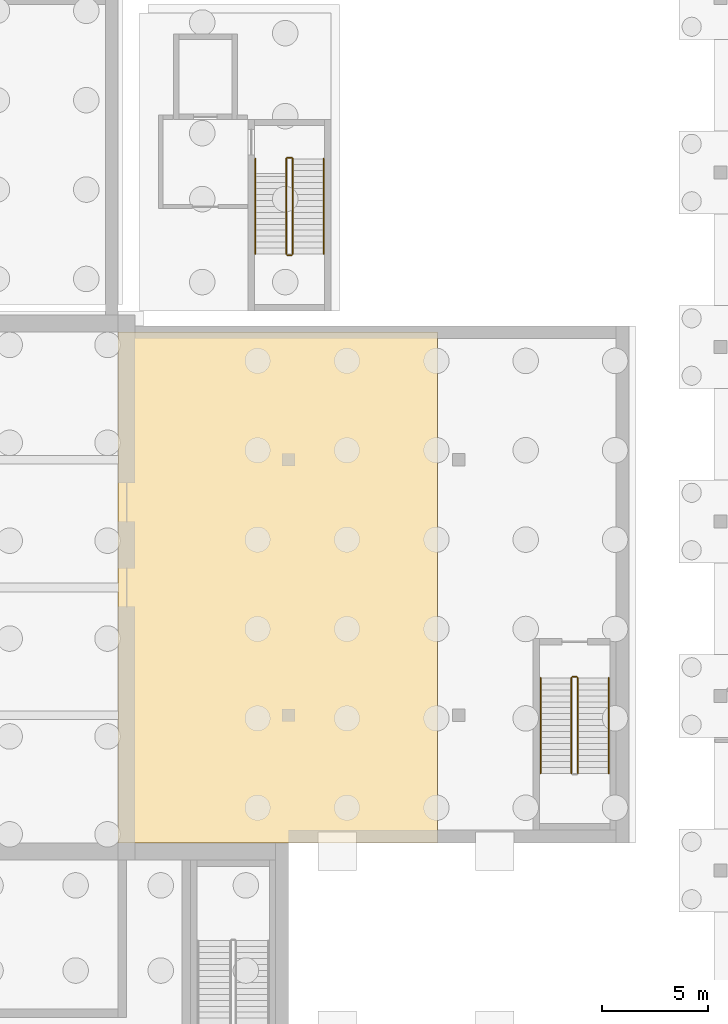
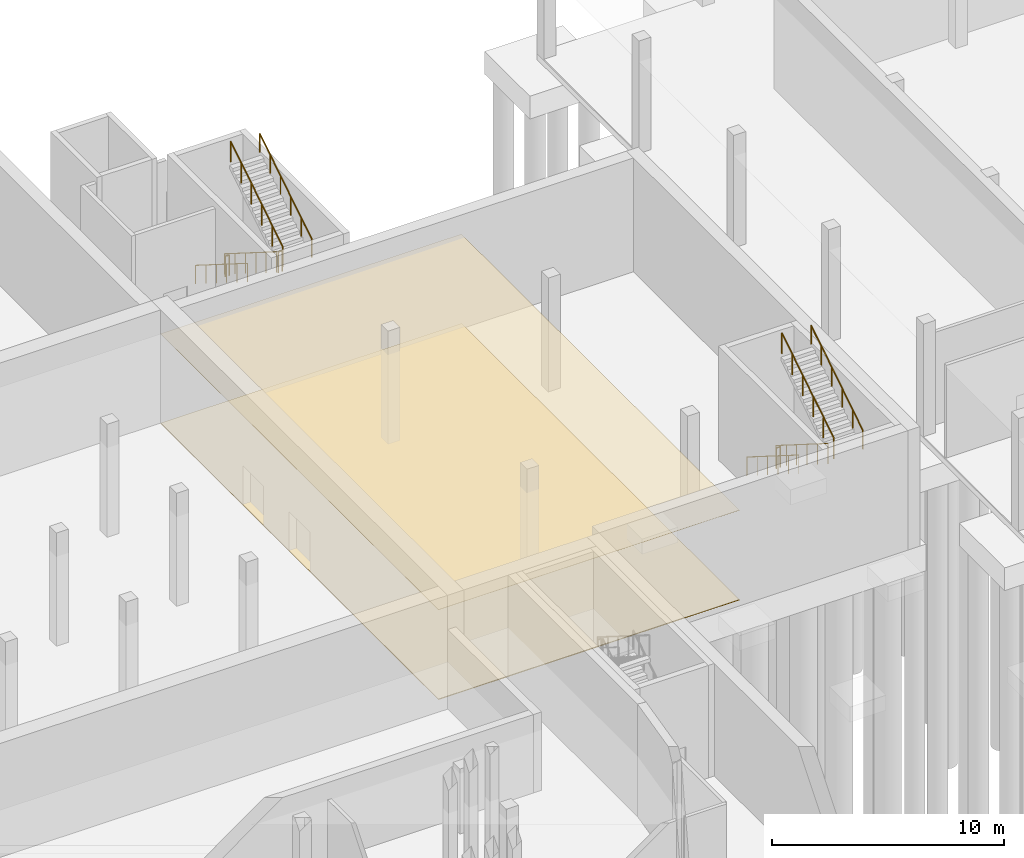
# One storey, part 55 of 66: 11 railings, 2 coverings.
"""IFC4 building model written with IfcOpenShell, lengths in metres."""

from ifc_helpers import new_model, si_unit, direction, frame, origin, origin_2d, place, context, subcontext, project, spatial, polyline, circle, outline, extrude, material, layer, layer_set, type_object, element, save


model = new_model("IFC4")

# Units and contexts
model_context = context("Model", 3, precision=1e-05, world=origin(), true_north=direction((0.0, 1.0)))
body_context = subcontext(model_context, "Body", "Model", "MODEL_VIEW")
ifc_project = project(units=[si_unit("LENGTHUNIT", "METRE"), si_unit("AREAUNIT", "SQUARE_METRE"), si_unit("VOLUMEUNIT", "CUBIC_METRE"), si_unit("PLANEANGLEUNIT", "RADIAN"), si_unit("MASSUNIT", "GRAM", prefix="KILO")], contexts=[model_context])

# Site, building, storey
site_placement = place(None, origin())
site = spatial("IfcSite", under=ifc_project, at=site_placement, CompositionType="ELEMENT")
building_placement = place(site_placement, origin())
building = spatial("IfcBuilding", under=site, at=building_placement, Name="Lunette Opera House", CompositionType="ELEMENT")
storey_placement = place(building_placement, frame((0.0, 0.0, -6.0)))
storey = spatial("IfcBuildingStorey", under=building, at=storey_placement, Name="B1", CompositionType="ELEMENT", Elevation=-6.0)

# Railings
ifc_material_1 = material(Name="Steel S355", Category="steel")
railing_type_1 = type_object("IfcRailingType", Name="STAIR GUARD 1100", PredefinedType="GUARDRAIL", material=ifc_material_1)
railing_1_placement = place(storey_placement, frame((115.89990234375, 128.14990234375, 0.176513671875)))
element("IfcRailing", 1, at=railing_1_placement, inside=storey, type_object=railing_type_1, Name="B1 ST12 stair guard 1", PredefinedType="GUARDRAIL", context=body_context, shape_type="SweptSolid", body=[
    extrude(circle(Radius=0.02392578125, at=origin_2d()), frame((0.0, 0.0, 1.076171875), z_axis=(0.0, -0.845997938375, 0.533186166611), x_axis=(1.0, 0.0, 0.0)), (0.0, 0.0, 1.0), 5.29541015625),
    extrude(circle(Radius=0.02099609375, at=origin_2d()), origin(), (0.0, 0.0, 1.0), 1.052001953125),
    extrude(circle(Radius=0.02099609375, at=origin_2d()), frame((0.0, -0.89599609375, 0.564697265625)), (0.0, 0.0, 1.0), 1.052001953125),
    extrude(circle(Radius=0.02099609375, at=origin_2d()), frame((0.0, -1.7919921875, 1.12939453125)), (0.0, 0.0, 1.0), 1.052001953125),
    extrude(circle(Radius=0.02099609375, at=origin_2d()), frame((0.0, -2.68798828125, 1.694091796875)), (0.0, 0.0, 1.0), 1.052001953125),
    extrude(circle(Radius=0.02099609375, at=origin_2d()), frame((0.0, -3.583984375, 2.2587890625)), (0.0, 0.0, 1.0), 1.052001953125),
    extrude(circle(Radius=0.02099609375, at=origin_2d()), frame((0.0, -4.47998046875, 2.823486328125)), (0.0, 0.0, 1.0), 1.052001953125),
])
railing_2_placement = place(storey_placement, frame((115.949951171875, 123.6201171875, 3.0)))
element("IfcRailing", 2, at=railing_2_placement, inside=storey, type_object=railing_type_1, Name="B1 ST12 stair guard 2", PredefinedType="GUARDRAIL", context=body_context, shape_type="SweptSolid", body=[
    extrude(circle(Radius=0.02392578125, at=origin_2d()), frame((0.0, 0.0, 1.076171875), z_axis=(1.0, 0.0, 0.0), x_axis=(0.0, 1.0, 0.0)), (0.0, 0.0, 1.0), 0.199951171875),
    extrude(circle(Radius=0.02099609375, at=origin_2d()), origin(), (0.0, 0.0, 1.0), 1.052001953125),
    extrude(circle(Radius=0.02099609375, at=origin_2d()), frame((0.199951171875, 0.0, 0.0)), (0.0, 0.0, 1.0), 1.052001953125),
])
railing_3_placement = place(storey_placement, frame((116.199951171875, 123.669921875, 3.176513671875)))
element("IfcRailing", 3, at=railing_3_placement, inside=storey, type_object=railing_type_1, Name="B1 ST12 stair guard 3", PredefinedType="GUARDRAIL", context=body_context, shape_type="SweptSolid", body=[
    extrude(circle(Radius=0.02392578125, at=origin_2d()), frame((0.0, 0.0, 1.076171875), z_axis=(0.0, 0.845997938375, 0.533186166611), x_axis=(-1.0, 0.0, 0.0)), (0.0, 0.0, 1.0), 5.29541015625),
    extrude(circle(Radius=0.02099609375, at=origin_2d()), origin(), (0.0, 0.0, 1.0), 1.052001953125),
    extrude(circle(Radius=0.02099609375, at=origin_2d()), frame((0.0, 0.89599609375, 0.564697265625)), (0.0, 0.0, 1.0), 1.052001953125),
    extrude(circle(Radius=0.02099609375, at=origin_2d()), frame((0.0, 1.7919921875, 1.12939453125)), (0.0, 0.0, 1.0), 1.052001953125),
    extrude(circle(Radius=0.02099609375, at=origin_2d()), frame((0.0, 2.68798828125, 1.694091796875)), (0.0, 0.0, 1.0), 1.052001953125),
    extrude(circle(Radius=0.02099609375, at=origin_2d()), frame((0.0, 3.583984375, 2.2587890625)), (0.0, 0.0, 1.0), 1.052001953125),
    extrude(circle(Radius=0.02099609375, at=origin_2d()), frame((0.0, 4.47998046875, 2.823486328125)), (0.0, 0.0, 1.0), 1.052001953125),
])
railing_4_placement = place(storey_placement, frame((115.949951171875, 128.199951171875, 0.0)))
element("IfcRailing", 4, at=railing_4_placement, inside=storey, type_object=railing_type_1, Name="B1 ST12 stair guard 4", PredefinedType="GUARDRAIL", context=body_context, shape_type="SweptSolid", body=[
    extrude(circle(Radius=0.02392578125, at=origin_2d()), frame((0.0, 0.0, 1.076171875), z_axis=(1.0, 0.0, 0.0), x_axis=(0.0, 1.0, 0.0)), (0.0, 0.0, 1.0), 0.199951171875),
    extrude(circle(Radius=0.02099609375, at=origin_2d()), origin(), (0.0, 0.0, 1.0), 1.052001953125),
    extrude(circle(Radius=0.02099609375, at=origin_2d()), frame((0.199951171875, 0.0, 0.0)), (0.0, 0.0, 1.0), 1.052001953125),
])
railing_5_placement = place(storey_placement, frame((129.300048828125, 103.75, 0.176513671875)))
element("IfcRailing", 5, at=railing_5_placement, inside=storey, type_object=railing_type_1, Name="B1 ST14 stair guard 1", PredefinedType="GUARDRAIL", context=body_context, shape_type="SweptSolid", body=[
    extrude(circle(Radius=0.02392578125, at=origin_2d()), frame((0.0, 0.0, 1.076171875), z_axis=(0.0, -0.845997938375, 0.533186166611), x_axis=(1.0, 0.0, 0.0)), (0.0, 0.0, 1.0), 5.29541015625),
    extrude(circle(Radius=0.02099609375, at=origin_2d()), origin(), (0.0, 0.0, 1.0), 1.052001953125),
    extrude(circle(Radius=0.02099609375, at=origin_2d()), frame((0.0, -0.89599609375, 0.564697265625)), (0.0, 0.0, 1.0), 1.052001953125),
    extrude(circle(Radius=0.02099609375, at=origin_2d()), frame((0.0, -1.7919921875, 1.12939453125)), (0.0, 0.0, 1.0), 1.052001953125),
    extrude(circle(Radius=0.02099609375, at=origin_2d()), frame((0.0, -2.68798828125, 1.694091796875)), (0.0, 0.0, 1.0), 1.052001953125),
    extrude(circle(Radius=0.02099609375, at=origin_2d()), frame((0.0, -3.583984375, 2.2587890625)), (0.0, 0.0, 1.0), 1.052001953125),
    extrude(circle(Radius=0.02099609375, at=origin_2d()), frame((0.0, -4.47998046875, 2.823486328125)), (0.0, 0.0, 1.0), 1.052001953125),
])
railing_6_placement = place(storey_placement, frame((129.60009765625, 99.27001953125, 3.176513671875)))
element("IfcRailing", 6, at=railing_6_placement, inside=storey, type_object=railing_type_1, Name="B1 ST14 stair guard 3", PredefinedType="GUARDRAIL", context=body_context, shape_type="SweptSolid", body=[
    extrude(circle(Radius=0.02392578125, at=origin_2d()), frame((0.0, 0.0, 1.076171875), z_axis=(0.0, 0.845997938375, 0.533186166611), x_axis=(-1.0, 0.0, 0.0)), (0.0, 0.0, 1.0), 5.29541015625),
    extrude(circle(Radius=0.02099609375, at=origin_2d()), origin(), (0.0, 0.0, 1.0), 1.052001953125),
    extrude(circle(Radius=0.02099609375, at=origin_2d()), frame((0.0, 0.89599609375, 0.564697265625)), (0.0, 0.0, 1.0), 1.052001953125),
    extrude(circle(Radius=0.02099609375, at=origin_2d()), frame((0.0, 1.7919921875, 1.12939453125)), (0.0, 0.0, 1.0), 1.052001953125),
    extrude(circle(Radius=0.02099609375, at=origin_2d()), frame((0.0, 2.68798828125, 1.694091796875)), (0.0, 0.0, 1.0), 1.052001953125),
    extrude(circle(Radius=0.02099609375, at=origin_2d()), frame((0.0, 3.583984375, 2.2587890625)), (0.0, 0.0, 1.0), 1.052001953125),
    extrude(circle(Radius=0.02099609375, at=origin_2d()), frame((0.0, 4.47998046875, 2.823486328125)), (0.0, 0.0, 1.0), 1.052001953125),
])
railing_7_placement = place(storey_placement, frame((129.35009765625, 103.800048828125, 0.0)))
element("IfcRailing", 7, at=railing_7_placement, inside=storey, type_object=railing_type_1, Name="B1 ST14 stair guard 4", PredefinedType="GUARDRAIL", context=body_context, shape_type="SweptSolid", body=[
    extrude(circle(Radius=0.02392578125, at=origin_2d()), frame((0.0, 0.0, 1.076171875), z_axis=(1.0, 0.0, 0.0), x_axis=(0.0, 1.0, 0.0)), (0.0, 0.0, 1.0), 0.199951171875),
    extrude(circle(Radius=0.02099609375, at=origin_2d()), origin(), (0.0, 0.0, 1.0), 1.052001953125),
    extrude(circle(Radius=0.02099609375, at=origin_2d()), frame((0.199951171875, 0.0, 0.0)), (0.0, 0.0, 1.0), 1.052001953125),
])
ifc_material_2 = material(Name="Steel S355", Category="steel")
railing_type_2 = type_object("IfcRailingType", Name="STAIR HANDRAIL 1000", PredefinedType="HANDRAIL", material=ifc_material_2)
railing_8_placement = place(storey_placement, frame((114.449951171875, 128.14990234375, 0.176513671875)))
element("IfcRailing", 8, at=railing_8_placement, inside=storey, type_object=railing_type_2, Name="B1 ST12 stair handrail 1", PredefinedType="HANDRAIL", context=body_context, shape_type="SweptSolid", body=[
    extrude(circle(Radius=0.02392578125, at=origin_2d()), frame((0.0, 0.0, 0.97607421875), z_axis=(0.0, -0.845997938375, 0.533186166611), x_axis=(1.0, 0.0, 0.0)), (0.0, 0.0, 1.0), 5.29541015625),
    extrude(circle(Radius=0.02099609375, at=origin_2d()), origin(), (0.0, 0.0, 1.0), 0.951904296875),
    extrude(circle(Radius=0.02099609375, at=origin_2d()), frame((0.0, -0.89599609375, 0.564697265625)), (0.0, 0.0, 1.0), 0.951904296875),
    extrude(circle(Radius=0.02099609375, at=origin_2d()), frame((0.0, -1.7919921875, 1.12939453125)), (0.0, 0.0, 1.0), 0.951904296875),
    extrude(circle(Radius=0.02099609375, at=origin_2d()), frame((0.0, -2.68798828125, 1.694091796875)), (0.0, 0.0, 1.0), 0.951904296875),
    extrude(circle(Radius=0.02099609375, at=origin_2d()), frame((0.0, -3.583984375, 2.2587890625)), (0.0, 0.0, 1.0), 0.951904296875),
    extrude(circle(Radius=0.02099609375, at=origin_2d()), frame((0.0, -4.47998046875, 2.823486328125)), (0.0, 0.0, 1.0), 0.951904296875),
])
railing_9_placement = place(storey_placement, frame((117.64990234375, 123.669921875, 3.176513671875)))
element("IfcRailing", 9, at=railing_9_placement, inside=storey, type_object=railing_type_2, Name="B1 ST12 stair handrail 2", PredefinedType="HANDRAIL", context=body_context, shape_type="SweptSolid", body=[
    extrude(circle(Radius=0.02392578125, at=origin_2d()), frame((0.0, 0.0, 0.97607421875), z_axis=(0.0, 0.845997938375, 0.533186166611), x_axis=(-1.0, 0.0, 0.0)), (0.0, 0.0, 1.0), 5.29541015625),
    extrude(circle(Radius=0.02099609375, at=origin_2d()), origin(), (0.0, 0.0, 1.0), 0.951904296875),
    extrude(circle(Radius=0.02099609375, at=origin_2d()), frame((0.0, 0.89599609375, 0.564697265625)), (0.0, 0.0, 1.0), 0.951904296875),
    extrude(circle(Radius=0.02099609375, at=origin_2d()), frame((0.0, 1.7919921875, 1.12939453125)), (0.0, 0.0, 1.0), 0.951904296875),
    extrude(circle(Radius=0.02099609375, at=origin_2d()), frame((0.0, 2.68798828125, 1.694091796875)), (0.0, 0.0, 1.0), 0.951904296875),
    extrude(circle(Radius=0.02099609375, at=origin_2d()), frame((0.0, 3.583984375, 2.2587890625)), (0.0, 0.0, 1.0), 0.951904296875),
    extrude(circle(Radius=0.02099609375, at=origin_2d()), frame((0.0, 4.47998046875, 2.823486328125)), (0.0, 0.0, 1.0), 0.951904296875),
])
railing_10_placement = place(storey_placement, frame((127.85009765625, 103.75, 0.176513671875)))
element("IfcRailing", 10, at=railing_10_placement, inside=storey, type_object=railing_type_2, Name="B1 ST14 stair handrail 1", PredefinedType="HANDRAIL", context=body_context, shape_type="SweptSolid", body=[
    extrude(circle(Radius=0.02392578125, at=origin_2d()), frame((0.0, 0.0, 0.97607421875), z_axis=(0.0, -0.845997938375, 0.533186166611), x_axis=(1.0, 0.0, 0.0)), (0.0, 0.0, 1.0), 5.29541015625),
    extrude(circle(Radius=0.02099609375, at=origin_2d()), origin(), (0.0, 0.0, 1.0), 0.951904296875),
    extrude(circle(Radius=0.02099609375, at=origin_2d()), frame((0.0, -0.89599609375, 0.564697265625)), (0.0, 0.0, 1.0), 0.951904296875),
    extrude(circle(Radius=0.02099609375, at=origin_2d()), frame((0.0, -1.7919921875, 1.12939453125)), (0.0, 0.0, 1.0), 0.951904296875),
    extrude(circle(Radius=0.02099609375, at=origin_2d()), frame((0.0, -2.68798828125, 1.694091796875)), (0.0, 0.0, 1.0), 0.951904296875),
    extrude(circle(Radius=0.02099609375, at=origin_2d()), frame((0.0, -3.583984375, 2.2587890625)), (0.0, 0.0, 1.0), 0.951904296875),
    extrude(circle(Radius=0.02099609375, at=origin_2d()), frame((0.0, -4.47998046875, 2.823486328125)), (0.0, 0.0, 1.0), 0.951904296875),
])
railing_11_placement = place(storey_placement, frame((131.050048828125, 99.27001953125, 3.176513671875)))
element("IfcRailing", 11, at=railing_11_placement, inside=storey, type_object=railing_type_2, Name="B1 ST14 stair handrail 2", PredefinedType="HANDRAIL", context=body_context, shape_type="SweptSolid", body=[
    extrude(circle(Radius=0.02392578125, at=origin_2d()), frame((0.0, 0.0, 0.97607421875), z_axis=(0.0, 0.845997938375, 0.533186166611), x_axis=(-1.0, 0.0, 0.0)), (0.0, 0.0, 1.0), 5.29541015625),
    extrude(circle(Radius=0.02099609375, at=origin_2d()), origin(), (0.0, 0.0, 1.0), 0.951904296875),
    extrude(circle(Radius=0.02099609375, at=origin_2d()), frame((0.0, 0.89599609375, 0.564697265625)), (0.0, 0.0, 1.0), 0.951904296875),
    extrude(circle(Radius=0.02099609375, at=origin_2d()), frame((0.0, 1.7919921875, 1.12939453125)), (0.0, 0.0, 1.0), 0.951904296875),
    extrude(circle(Radius=0.02099609375, at=origin_2d()), frame((0.0, 2.68798828125, 1.694091796875)), (0.0, 0.0, 1.0), 0.951904296875),
    extrude(circle(Radius=0.02099609375, at=origin_2d()), frame((0.0, 3.583984375, 2.2587890625)), (0.0, 0.0, 1.0), 0.951904296875),
    extrude(circle(Radius=0.02099609375, at=origin_2d()), frame((0.0, 4.47998046875, 2.823486328125)), (0.0, 0.0, 1.0), 0.951904296875),
])

# Coverings
ifc_material_3 = material(Name="Mineral fibre board")
ifc_layer_1 = layer(ifc_material_3, 0.014892578125)
ifc_layer_set_1 = layer_set([ifc_layer_1], Name="Mineral fibre board")
covering_type_1 = type_object("IfcCoveringType", Name="SUSPENDED ACOUSTIC CEILING 15", PredefinedType="CEILING", material=ifc_layer_set_1)
covering_1_placement = place(storey_placement, frame((0.0, 0.0, 4.735107421875)))
element("IfcCovering", 12, at=covering_1_placement, inside=storey, type_object=covering_type_1, Name="Ceiling Side Stage East Trap Room", PredefinedType="CEILING", context=body_context, shape_type="SweptSolid", body=[
    extrude(outline(polyline([(123.0, 120.0), (123.0, 96.0), (108.0, 96.0), (108.0, 120.0), (123.0, 120.0)])), origin(), (0.0, 0.0, 1.0), 0.014892578125),
])
ifc_material_4 = material(Name="Timber", Category="wood")
ifc_layer_2 = layer(ifc_material_4, 0.0400390625)
ifc_layer_set_2 = layer_set([ifc_layer_2], Name="Timber")
covering_type_2 = type_object("IfcCoveringType", Name="TIMBER FLOOR FINISH 40", PredefinedType="FLOORING", material=ifc_layer_set_2)
covering_2_placement = place(storey_placement, origin())
element("IfcCovering", 13, at=covering_2_placement, inside=storey, type_object=covering_type_2, Name="Floor finish Side Stage East Trap Room", PredefinedType="FLOORING", context=body_context, shape_type="SweptSolid", body=[
    extrude(outline(polyline([(123.0, 120.0), (123.0, 96.0), (108.0, 96.0), (108.0, 120.0), (123.0, 120.0)])), origin(), (0.0, 0.0, 1.0), 0.0400390625),
])

save(model, "model.ifc")
